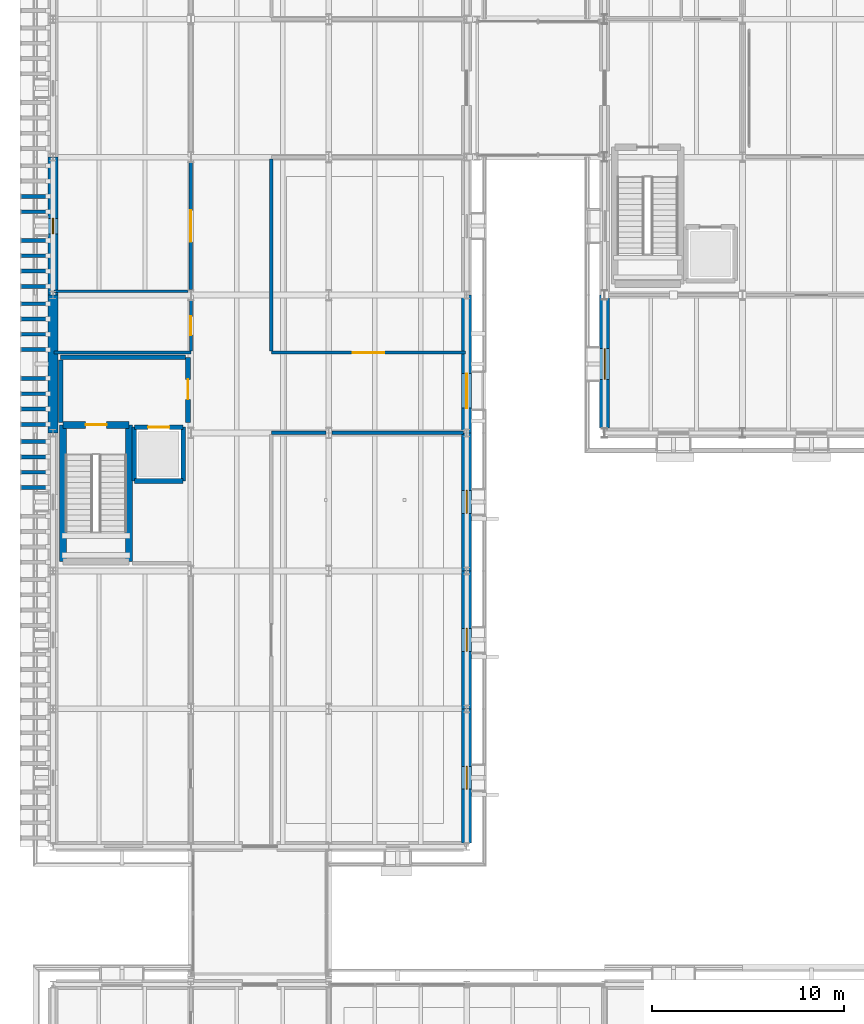
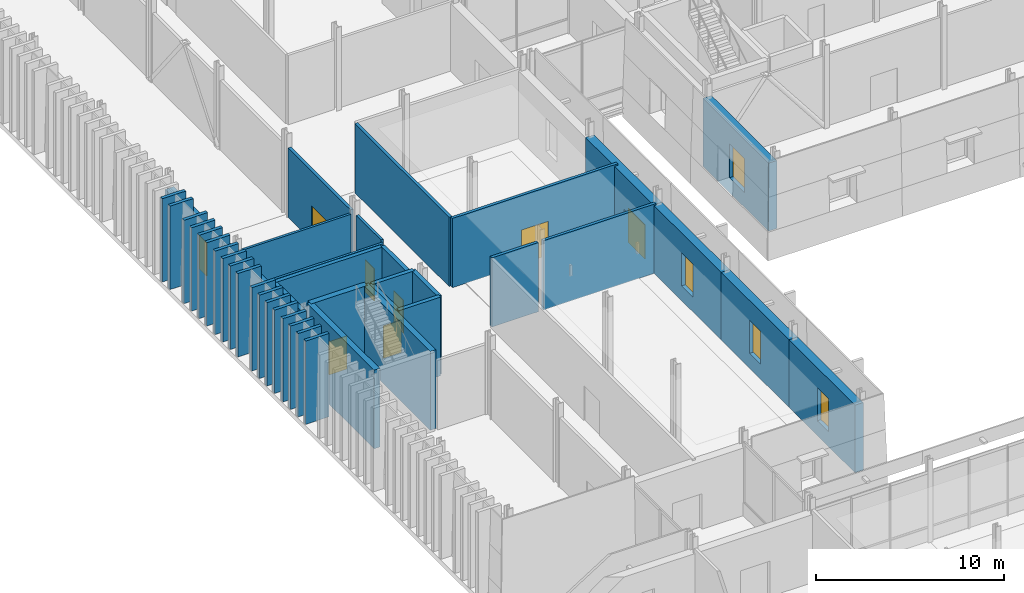
# One storey, part 69 of 120: 43 walls, 7 doors, 5 windows, 12 openings.
"""IFC4 building model written with IfcOpenShell, lengths in metres."""

from ifc_helpers import new_model, si_unit, direction, frame, frame_2d, origin, place, context, subcontext, project, spatial, rectangle, extrude, material, layer, layer_set, type_object, element, fill, save


model = new_model("IFC4")

# Units and contexts
model_context = context("Model", 3, precision=1e-05, world=origin(), true_north=direction((0.0, 1.0)))
body_context = subcontext(model_context, "Body", "Model", "MODEL_VIEW")
ifc_project = project(units=[si_unit("LENGTHUNIT", "METRE"), si_unit("AREAUNIT", "SQUARE_METRE"), si_unit("VOLUMEUNIT", "CUBIC_METRE"), si_unit("PLANEANGLEUNIT", "RADIAN"), si_unit("MASSUNIT", "GRAM", prefix="KILO")], contexts=[model_context])

# Site, building, storey
site_placement = place(None, origin())
site = spatial("IfcSite", under=ifc_project, at=site_placement, CompositionType="ELEMENT")
building_placement = place(site_placement, origin())
building = spatial("IfcBuilding", under=site, at=building_placement, Name="Narikvali Park Central Library", CompositionType="ELEMENT")
storey_placement = place(building_placement, origin())
storey = spatial("IfcBuildingStorey", under=building, at=storey_placement, Name="L00", CompositionType="ELEMENT", Elevation=0.0)

# Wall, opening, door
ifc_material_1 = material(Name="Autoclaved Concrete Blockwork C25/30", Category="masonry")
ifc_layer_1 = layer(ifc_material_1, 0.239990234375, Name="Autoclaved Concrete Blockwork C25/30")
ifc_layer_set_1 = layer_set([ifc_layer_1], Name="Autoclaved Concrete Blockwork C25/30")
wall_type_1 = type_object("IfcWallType", Name="Fire Compartment Concrete Block Wall 240", PredefinedType="SOLIDWALL", material=ifc_layer_set_1)
wall_1_placement = place(storey_placement, frame((7.050048828125, 50.949951171875, 0.0), z_axis=(0.0, 0.0, 1.0), x_axis=(0.0, 1.0, 0.0)))
wall_1 = element("IfcWall", 1, at=wall_1_placement, inside=storey, type_object=wall_type_1, Name="C5A L00 Firefighting Lobby Wall E", PredefinedType="SOLIDWALL", context=body_context, shape_type="SweptSolid", body=[
    extrude(rectangle(XDim=3.400146484375, YDim=0.239990234375, at=frame_2d((1.7001953125, 0.0))), origin(), (0.0, 0.0, 1.0), 4.360107421875),
])
opening_1_placement = place(wall_1_placement, frame((1.199951171875, 0.0, 0.0)))
opening_1 = element("IfcOpeningElement", 2, at=opening_1_placement, cuts=wall_1, Name="Opening FF-039", PredefinedType="OPENING", context=body_context, shape_type="SweptSolid", body=[
    extrude(rectangle(XDim=1.050048828125, YDim=2.14990234375, at=frame_2d((0.52490234375, 1.074951171875))), frame((0.0, 0.1318359375, 0.0), z_axis=(0.0, -1.0, 0.0), x_axis=(1.0, 0.0, 0.0)), (0.0, 0.0, 1.0), 0.263916015625),
])
ifc_material_2 = material(Name="Powder-Coated Steel S275 Fire Leaf", Category="steel")
door_type_1 = type_object("IfcDoorType", Name="Firefighting Lobby Single Fire Door 1050x2150", OperationType="SINGLE_SWING_RIGHT", PredefinedType="DOOR", material=ifc_material_2)
door_1_placement = place(opening_1_placement, frame((1.050048828125, 0.0, 0.0), z_axis=(0.0, 0.0, 1.0), x_axis=(-1.0, 0.0, 0.0)))
door_1 = element("IfcDoor", 3, at=door_1_placement, inside=storey, type_object=door_type_1, Name="FF-01 L00 Firefighting Lobby Corridor Door", OperationType="SINGLE_SWING_RIGHT", OverallHeight=2.14990234375, OverallWidth=1.050048828125, PredefinedType="DOOR", context=body_context, shape_type="SweptSolid", body=[
    extrude(rectangle(XDim=1.050048828125, YDim=2.14990234375, at=frame_2d((0.52490234375, 1.074951171875))), frame((0.0, 0.02490234375, 0.0), z_axis=(0.0, -1.0, 0.0), x_axis=(1.0, 0.0, 0.0)), (0.0, 0.0, 1.0), 0.050048828125),
])
fill(opening_1, door_1)

# Walls
wall_2_placement = place(storey_placement, frame((0.39990234375, 54.35009765625, 0.0), z_axis=(0.0, 0.0, 1.0), x_axis=(1.0, 0.0, 0.0)))
element("IfcWall", 4, at=wall_2_placement, inside=storey, type_object=wall_type_1, Name="C5A L00 Firefighting Lobby Wall N", PredefinedType="SOLIDWALL", context=body_context, shape_type="SweptSolid", body=[
    extrude(rectangle(XDim=6.52001953125, YDim=0.239990234375, at=frame_2d((3.260009765625, 0.0))), origin(), (0.0, 0.0, 1.0), 4.360107421875),
])
wall_3_placement = place(storey_placement, frame((0.39990234375, 50.949951171875, 0.0), z_axis=(0.0, 0.0, 1.0), x_axis=(0.0, 1.0, 0.0)))
element("IfcWall", 5, at=wall_3_placement, inside=storey, type_object=wall_type_1, Name="C5A L00 Firefighting Lobby Wall W", PredefinedType="SOLIDWALL", context=body_context, shape_type="SweptSolid", body=[
    extrude(rectangle(XDim=3.27001953125, YDim=0.239990234375, at=frame_2d((1.635009765625, 0.0))), origin(), (0.0, 0.0, 1.0), 4.360107421875),
])
ifc_material_3 = material(Name="Kiln-Fired Terracotta Red Brick Masonry", Category="masonry")
ifc_layer_2 = layer(ifc_material_3, 0.199951171875, Name="Kiln-Fired Terracotta Red Brick Masonry")
ifc_layer_set_2 = layer_set([ifc_layer_2], Name="Kiln-Fired Terracotta Red Brick Masonry")
wall_type_2 = type_object("IfcWallType", Name="Kiln-Fired Red Brick Vertical Fin Wall 200", PredefinedType="SOLIDWALL", material=ifc_layer_set_2)
for number, where, z_axis, x_axis, name in (
    (6, (-1.659912109375, 47.550048828125, 0.0), (0.0, 0.0, 1.0), (1.0, 0.0, 0.0), "West Stacks Red Brick Vertical Fin Pier 097"),
    (7, (-1.659912109375, 48.35009765625, 0.0), (0.0, 0.0, 1.0), (1.0, 0.0, 0.0), "West Stacks Red Brick Vertical Fin Pier 103"),
    (8, (-1.659912109375, 49.14990234375, 0.0), (0.0, 0.0, 1.0), (1.0, 0.0, 0.0), "West Stacks Red Brick Vertical Fin Pier 109"),
    (9, (-1.659912109375, 49.949951171875, 0.0), (0.0, 0.0, 1.0), (1.0, 0.0, 0.0), "West Stacks Red Brick Vertical Fin Pier 115"),
    (10, (-1.659912109375, 50.85009765625, 0.0), (0.0, 0.0, 1.0), (1.0, 0.0, 0.0), "West Stacks Red Brick Vertical Fin Pier 121"),
    (11, (-1.659912109375, 51.64990234375, 0.0), (0.0, 0.0, 1.0), (1.0, 0.0, 0.0), "West Stacks Red Brick Vertical Fin Pier 127"),
    (12, (-1.659912109375, 52.449951171875, 0.0), (0.0, 0.0, 1.0), (1.0, 0.0, 0.0), "West Stacks Red Brick Vertical Fin Pier 133"),
    (13, (-1.659912109375, 53.25, 0.0), (0.0, 0.0, 1.0), (1.0, 0.0, 0.0), "West Stacks Red Brick Vertical Fin Pier 139"),
    (14, (-1.659912109375, 54.75, 0.0), (0.0, 0.0, 1.0), (1.0, 0.0, 0.0), "West Stacks Red Brick Vertical Fin Pier 145"),
    (15, (-1.659912109375, 55.550048828125, 0.0), (0.0, 0.0, 1.0), (1.0, 0.0, 0.0), "West Stacks Red Brick Vertical Fin Pier 151"),
    (16, (-1.659912109375, 56.35009765625, 0.0), (0.0, 0.0, 1.0), (1.0, 0.0, 0.0), "West Stacks Red Brick Vertical Fin Pier 157"),
    (17, (-1.659912109375, 57.14990234375, 0.0), (0.0, 0.0, 1.0), (1.0, 0.0, 0.0), "West Stacks Red Brick Vertical Fin Pier 163"),
    (18, (-1.659912109375, 58.050048828125, 0.0), (0.0, 0.0, 1.0), (1.0, 0.0, 0.0), "West Stacks Red Brick Vertical Fin Pier 169"),
    (19, (-1.659912109375, 58.85009765625, 0.0), (0.0, 0.0, 1.0), (1.0, 0.0, 0.0), "West Stacks Red Brick Vertical Fin Pier 175"),
    (20, (-1.659912109375, 59.64990234375, 0.0), (0.0, 0.0, 1.0), (1.0, 0.0, 0.0), "West Stacks Red Brick Vertical Fin Pier 181"),
    (21, (-1.659912109375, 60.449951171875, 0.0), (0.0, 0.0, 1.0), (1.0, 0.0, 0.0), "West Stacks Red Brick Vertical Fin Pier 187"),
    (22, (-1.659912109375, 61.949951171875, 0.0), (0.0, 0.0, 1.0), (1.0, 0.0, 0.0), "West Stacks Red Brick Vertical Fin Pier 193"),
    (23, (-1.659912109375, 62.75, 0.0), (0.0, 0.0, 1.0), (1.0, 0.0, 0.0), "West Stacks Red Brick Vertical Fin Pier 199"),
):
    element("IfcWall", number, at=place(storey_placement, frame(where, z_axis=z_axis, x_axis=x_axis)), inside=storey, type_object=wall_type_2, Name=name, PredefinedType="SOLIDWALL", context=body_context, shape_type="SweptSolid", body=[
        extrude(rectangle(XDim=1.43994140625, YDim=0.199951171875, at=frame_2d((0.719970703125, 0.0))), origin(), (0.0, 0.0, 1.0), 5.39990234375),
    ])
ifc_material_4 = material(Name="Moisture-Resistant Cement Board on Steel Studs", Category="steel")
ifc_layer_3 = layer(ifc_material_4, 0.14990234375, Name="Moisture-Resistant Cement Board on Steel Studs")
ifc_layer_set_3 = layer_set([ifc_layer_3], Name="Moisture-Resistant Cement Board on Steel Studs")
wall_type_3 = type_object("IfcWallType", Name="Moisture-Resistant WC Partition 150", PredefinedType="PARTITIONING", material=ifc_layer_set_3)
wall_4_placement = place(storey_placement, frame((0.054931640625, 54.60009765625, 0.0), z_axis=(0.0, 0.0, 1.0), x_axis=(1.0, 0.0, 0.0)))
element("IfcWall", 24, at=wall_4_placement, inside=storey, type_object=wall_type_3, Name="Stacks Wing Accessible WC L00 Partition S", PredefinedType="PARTITIONING", context=body_context, shape_type="SweptSolid", body=[
    extrude(rectangle(XDim=7.14501953125, YDim=0.14990234375, at=frame_2d((3.572509765625, 0.0))), origin(), (0.0, 0.0, 1.0), 4.33203125),
])
wall_5_placement = place(storey_placement, frame((0.054931640625, 57.800048828125, 0.0), z_axis=(0.0, 0.0, 1.0), x_axis=(1.0, 0.0, 0.0)))
element("IfcWall", 25, at=wall_5_placement, inside=storey, type_object=wall_type_3, Name="Stacks Wing Accessible WC L00 Partition N", PredefinedType="PARTITIONING", context=body_context, shape_type="SweptSolid", body=[
    extrude(rectangle(XDim=6.988037109375, YDim=0.14990234375, at=frame_2d((3.494140625, 0.0))), origin(), (0.0, 0.0, 1.0), 4.33203125),
])

# Wall, opening, door
wall_6_placement = place(storey_placement, frame((7.199951171875, 54.677001953125, 0.0), z_axis=(0.0, 0.0, 1.0), x_axis=(0.0, 1.0, 0.0)))
wall_6 = element("IfcWall", 26, at=wall_6_placement, inside=storey, type_object=wall_type_3, Name="Stacks Wing Accessible WC L00 Partition E", PredefinedType="PARTITIONING", context=body_context, shape_type="SweptSolid", body=[
    extrude(rectangle(XDim=2.633056640625, YDim=0.14990234375, at=frame_2d((1.31640625, 0.0))), origin(), (0.0, 0.0, 1.0), 4.4951171875),
])
opening_2_placement = place(wall_6_placement, frame((0.826416015625, 0.0, 0.0)))
opening_2 = element("IfcOpeningElement", 27, at=opening_2_placement, cuts=wall_6, Name="Opening ID-0018", PredefinedType="OPENING", context=body_context, shape_type="SweptSolid", body=[
    extrude(rectangle(XDim=0.97998046875, YDim=2.10009765625, at=frame_2d((0.489990234375, 1.050048828125))), frame((0.0, 0.0869140625, 0.0), z_axis=(0.0, -1.0, 0.0), x_axis=(1.0, 0.0, 0.0)), (0.0, 0.0, 1.0), 0.173828125),
])
ifc_material_5 = material(Name="Laminate Faced Hardwood Core", Category="wood")
door_type_2 = type_object("IfcDoorType", Name="Accessible WC Outward-Opening Door 980x2100", OperationType="SINGLE_SWING_RIGHT", PredefinedType="DOOR", material=ifc_material_5)
door_2_placement = place(opening_2_placement, frame((0.97998046875, 0.0, 0.0), z_axis=(0.0, 0.0, 1.0), x_axis=(-1.0, 0.0, 0.0)))
door_2 = element("IfcDoor", 28, at=door_2_placement, inside=storey, type_object=door_type_2, Name="Stacks Wing Accessible WC L00 Door ID-0018", OperationType="SINGLE_SWING_RIGHT", OverallHeight=2.10009765625, OverallWidth=0.97998046875, PredefinedType="DOOR", context=body_context, shape_type="SweptSolid", body=[
    extrude(rectangle(XDim=0.97998046875, YDim=2.10009765625, at=frame_2d((0.489990234375, 1.050048828125))), frame((0.0, 0.02490234375, 0.0), z_axis=(0.0, -1.0, 0.0), x_axis=(1.0, 0.0, 0.0)), (0.0, 0.0, 1.0), 0.050048828125),
])
fill(opening_2, door_2)

# Walls
ifc_material_6 = material(Name="Acoustic Gypsum on Steel Studs", Category="steel")
ifc_layer_4 = layer(ifc_material_6, 0.179931640625, Name="Acoustic Gypsum on Steel Studs")
ifc_layer_set_4 = layer_set([ifc_layer_4], Name="Acoustic Gypsum on Steel Studs")
wall_type_4 = type_object("IfcWallType", Name="Reading Room Acoustic Partition 180", PredefinedType="PARTITIONING", material=ifc_layer_set_4)
wall_7_placement = place(storey_placement, frame((11.39990234375, 50.39990234375, 0.0), z_axis=(0.0, 0.0, 1.0), x_axis=(1.0, 0.0, 0.0)))
element("IfcWall", 29, at=wall_7_placement, inside=storey, type_object=wall_type_4, Name="General Collection Open Book Stacks L00 Partition N", PredefinedType="PARTITIONING", context=body_context, shape_type="SweptSolid", body=[
    extrude(rectangle(XDim=2.843017578125, YDim=0.179931640625, at=frame_2d((1.42138671875, 0.0))), origin(), (0.0, 0.0, 1.0), 4.485107421875),
])
wall_8_placement = place(storey_placement, frame((14.556884765625, 50.39990234375, 0.0), z_axis=(0.0, 0.0, 1.0), x_axis=(1.0, 0.0, 0.0)))
element("IfcWall", 30, at=wall_8_placement, inside=storey, type_object=wall_type_4, Name="General Collection Open Book Stacks L00 Partition N", PredefinedType="PARTITIONING", context=body_context, shape_type="SweptSolid", body=[
    extrude(rectangle(XDim=6.885009765625, YDim=0.179931640625, at=frame_2d((3.4423828125, 0.0))), origin(), (0.0, 0.0, 1.0), 4.485107421875),
])

# Wall, opening, door
wall_9_placement = place(storey_placement, frame((11.39990234375, 54.60009765625, 0.0), z_axis=(0.0, 0.0, 1.0), x_axis=(1.0, 0.0, 0.0)))
wall_9 = element("IfcWall", 31, at=wall_9_placement, inside=storey, type_object=wall_type_4, Name="Reference Open Stacks Alcove L00 Partition S", PredefinedType="PARTITIONING", context=body_context, shape_type="SweptSolid", body=[
    extrude(rectangle(XDim=10.14501953125, YDim=0.179931640625, at=frame_2d((5.072509765625, 0.0))), origin(), (0.0, 0.0, 1.0), 4.485107421875),
])
opening_3_placement = place(wall_9_placement, frame((4.24755859375, 0.0, 0.0)))
opening_3 = element("IfcOpeningElement", 32, at=opening_3_placement, cuts=wall_9, Name="Opening ID-0114", PredefinedType="OPENING", context=body_context, shape_type="SweptSolid", body=[
    extrude(rectangle(XDim=1.64990234375, YDim=2.25, at=frame_2d((0.824951171875, 1.125))), frame((0.0, 0.10205078125, 0.0), z_axis=(0.0, -1.0, 0.0), x_axis=(1.0, 0.0, 0.0)), (0.0, 0.0, 1.0), 0.203857421875),
])
ifc_material_7 = material(Name="Caucasian Oak and Tempered Glass", Category="glass")
door_type_3 = type_object("IfcDoorType", Name="Open Stacks Double Glazed Door 1650x2250", OperationType="DOUBLE_DOOR_SINGLE_SWING", PredefinedType="DOOR", material=ifc_material_7)
door_3_placement = place(opening_3_placement, origin())
door_3 = element("IfcDoor", 33, at=door_3_placement, inside=storey, type_object=door_type_3, Name="Reference Open Stacks Alcove L00 Door ID-0114", OperationType="DOUBLE_DOOR_SINGLE_SWING", OverallHeight=2.25, OverallWidth=1.64990234375, PredefinedType="DOOR", context=body_context, shape_type="SweptSolid", body=[
    extrude(rectangle(XDim=1.64990234375, YDim=2.25, at=frame_2d((0.824951171875, 1.125))), frame((0.0, 0.02490234375, 0.0), z_axis=(0.0, -1.0, 0.0), x_axis=(1.0, 0.0, 0.0)), (0.0, 0.0, 1.0), 0.050048828125),
])
fill(opening_3, door_3)

# Wall
wall_10_placement = place(storey_placement, frame((11.39990234375, 54.69189453125, 0.0), z_axis=(0.0, 0.0, 1.0), x_axis=(0.0, 1.0, 0.0)))
element("IfcWall", 34, at=wall_10_placement, inside=storey, type_object=wall_type_4, Name="Reference Open Stacks Alcove L00 Partition W", PredefinedType="PARTITIONING", context=body_context, shape_type="SweptSolid", body=[
    extrude(rectangle(XDim=10.01611328125, YDim=0.179931640625, at=frame_2d((5.008056640625, 0.0))), origin(), (0.0, 0.0, 1.0), 4.485107421875),
])

# Wall, opening, door
wall_11_placement = place(storey_placement, frame((7.199951171875, 57.889892578125, 0.0), z_axis=(0.0, 0.0, 1.0), x_axis=(0.0, 1.0, 0.0)))
wall_11 = element("IfcWall", 35, at=wall_11_placement, inside=storey, type_object=wall_type_4, Name="Caucasus History Open Stacks L00 Partition E", PredefinedType="PARTITIONING", context=body_context, shape_type="SweptSolid", body=[
    extrude(rectangle(XDim=6.6201171875, YDim=0.179931640625, at=frame_2d((3.31005859375, 0.0))), origin(), (0.0, 0.0, 1.0), 4.4951171875),
])
opening_4_placement = place(wall_11_placement, frame((2.485107421875, 0.0, 0.0)))
opening_4 = element("IfcOpeningElement", 36, at=opening_4_placement, cuts=wall_11, Name="Opening ID-0116", PredefinedType="OPENING", context=body_context, shape_type="SweptSolid", body=[
    extrude(rectangle(XDim=1.64990234375, YDim=2.25, at=frame_2d((0.824951171875, 1.125))), frame((0.0, 0.10205078125, 0.0), z_axis=(0.0, -1.0, 0.0), x_axis=(1.0, 0.0, 0.0)), (0.0, 0.0, 1.0), 0.203857421875),
])
door_4_placement = place(opening_4_placement, origin())
door_4 = element("IfcDoor", 37, at=door_4_placement, inside=storey, type_object=door_type_3, Name="Caucasus History Open Stacks L00 Door ID-0116", OperationType="DOUBLE_DOOR_SINGLE_SWING", OverallHeight=2.25, OverallWidth=1.64990234375, PredefinedType="DOOR", context=body_context, shape_type="SweptSolid", body=[
    extrude(rectangle(XDim=1.64990234375, YDim=2.25, at=frame_2d((0.824951171875, 1.125))), frame((0.0, 0.02490234375, 0.0), z_axis=(0.0, -1.0, 0.0), x_axis=(1.0, 0.0, 0.0)), (0.0, 0.0, 1.0), 0.050048828125),
])
fill(opening_4, door_4)

# Wall
ifc_material_8 = material(Name="Concrete C40/50", Category="concrete")
ifc_layer_5 = layer(ifc_material_8, 0.35009765625, Name="Concrete C40/50")
ifc_layer_set_5 = layer_set([ifc_layer_5], Name="Concrete C40/50")
wall_type_5 = type_object("IfcWallType", Name="Reinforced Concrete Core Shear Wall 350", PredefinedType="SHEAR", material=ifc_layer_set_5)
wall_12_placement = place(storey_placement, frame((3.969970703125, 43.679931640625, 0.0), z_axis=(0.0, 0.0, 1.0), x_axis=(0.0, 1.0, 0.0)))
element("IfcWall", 38, at=wall_12_placement, inside=storey, type_object=wall_type_5, Name="C5A L00 Stair Core Shear Wall E", PredefinedType="SHEAR", context=body_context, shape_type="SweptSolid", body=[
    extrude(rectangle(XDim=7.14013671875, YDim=0.35009765625, at=frame_2d((3.570068359375, 0.0))), origin(), (0.0, 0.0, 1.0), 5.10009765625),
])

# Wall, opening, door
wall_13_placement = place(storey_placement, frame((3.969970703125, 50.820068359375, 0.0), z_axis=(0.0, 0.0, 1.0), x_axis=(-1.0, 0.0, 0.0)))
wall_13 = element("IfcWall", 39, at=wall_13_placement, inside=storey, type_object=wall_type_5, Name="C5A L00 Stair Core Shear Wall N", PredefinedType="SHEAR", context=body_context, shape_type="SweptSolid", body=[
    extrude(rectangle(XDim=3.43994140625, YDim=0.35009765625, at=frame_2d((1.719970703125, 0.0))), origin(), (0.0, 0.0, 1.0), 5.10009765625),
])
opening_5_placement = place(wall_13_placement, frame((1.169921875, 0.0, 0.0)))
opening_5 = element("IfcOpeningElement", 40, at=opening_5_placement, cuts=wall_13, Name="Opening SD-038", PredefinedType="OPENING", context=body_context, shape_type="SweptSolid", body=[
    extrude(rectangle(XDim=1.10009765625, YDim=2.14990234375, at=frame_2d((0.550048828125, 1.074951171875))), frame((0.0, 0.18701171875, 0.0), z_axis=(0.0, -1.0, 0.0), x_axis=(1.0, 0.0, 0.0)), (0.0, 0.0, 1.0), 0.3740234375),
])
door_type_4 = type_object("IfcDoorType", Name="Stair Core Smoke-Control Fire Door 1100x2150", OperationType="SINGLE_SWING_LEFT", PredefinedType="DOOR", material=ifc_material_2)
door_5_placement = place(opening_5_placement, frame((1.10009765625, 0.0, 0.0), z_axis=(0.0, 0.0, 1.0), x_axis=(-1.0, 0.0, 0.0)))
door_5 = element("IfcDoor", 41, at=door_5_placement, inside=storey, type_object=door_type_4, Name="ST-09 L00 Stair Exit Door SD-038", OperationType="SINGLE_SWING_RIGHT", OverallHeight=2.14990234375, OverallWidth=1.10009765625, PredefinedType="DOOR", context=body_context, shape_type="SweptSolid", body=[
    extrude(rectangle(XDim=1.10009765625, YDim=2.14990234375, at=frame_2d((0.550048828125, 1.074951171875))), frame((0.0, 0.02490234375, 0.0), z_axis=(0.0, -1.0, 0.0), x_axis=(1.0, 0.0, 0.0)), (0.0, 0.0, 1.0), 0.050048828125),
])
fill(opening_5, door_5)

# Walls
wall_14_placement = place(storey_placement, frame((0.530029296875, 50.820068359375, 0.0), z_axis=(0.0, 0.0, 1.0), x_axis=(0.0, -1.0, 0.0)))
element("IfcWall", 42, at=wall_14_placement, inside=storey, type_object=wall_type_5, Name="C5A L00 Stair Core Shear Wall W", PredefinedType="SHEAR", context=body_context, shape_type="SweptSolid", body=[
    extrude(rectangle(XDim=7.14013671875, YDim=0.35009765625, at=frame_2d((3.570068359375, 0.0))), origin(), (0.0, 0.0, 1.0), 5.10009765625),
])
ifc_layer_6 = layer(ifc_material_8, 0.25, Name="Concrete C40/50")
ifc_layer_set_6 = layer_set([ifc_layer_6], Name="Concrete C40/50")
wall_type_6 = type_object("IfcWallType", Name="Reinforced Concrete Lift Shaft Wall 250", PredefinedType="SHEAR", material=ifc_layer_set_6)
wall_15_placement = place(storey_placement, frame((4.25, 47.89990234375, 0.0), z_axis=(0.0, 0.0, 1.0), x_axis=(1.0, 0.0, 0.0)))
element("IfcWall", 43, at=wall_15_placement, inside=storey, type_object=wall_type_6, Name="FF-01 L00 Lift Shaft Wall S", PredefinedType="SHEAR", context=body_context, shape_type="SweptSolid", body=[
    extrude(rectangle(XDim=2.550048828125, YDim=0.25, at=frame_2d((1.27490234375, 0.0))), origin(), (0.0, 0.0, 1.0), 5.10009765625),
])
wall_16_placement = place(storey_placement, frame((6.800048828125, 47.89990234375, 0.0), z_axis=(0.0, 0.0, 1.0), x_axis=(0.0, 1.0, 0.0)))
element("IfcWall", 44, at=wall_16_placement, inside=storey, type_object=wall_type_6, Name="FF-01 L00 Lift Shaft Wall E", PredefinedType="SHEAR", context=body_context, shape_type="SweptSolid", body=[
    extrude(rectangle(XDim=2.800048828125, YDim=0.25, at=frame_2d((1.39990234375, 0.0))), origin(), (0.0, 0.0, 1.0), 5.10009765625),
])

# Wall, opening, door
wall_17_placement = place(storey_placement, frame((6.800048828125, 50.699951171875, 0.0), z_axis=(0.0, 0.0, 1.0), x_axis=(-1.0, 0.0, 0.0)))
wall_17 = element("IfcWall", 45, at=wall_17_placement, inside=storey, type_object=wall_type_6, Name="FF-01 L00 Lift Shaft Wall N", PredefinedType="SHEAR", context=body_context, shape_type="SweptSolid", body=[
    extrude(rectangle(XDim=2.550048828125, YDim=0.25, at=frame_2d((1.27490234375, 0.0))), origin(), (0.0, 0.0, 1.0), 5.10009765625),
])
opening_6_placement = place(wall_17_placement, frame((0.72509765625, 0.0, 0.0)))
opening_6 = element("IfcOpeningElement", 46, at=opening_6_placement, cuts=wall_17, Name="Opening LD-035", PredefinedType="OPENING", context=body_context, shape_type="SweptSolid", body=[
    extrude(rectangle(XDim=1.10009765625, YDim=2.10009765625, at=frame_2d((0.550048828125, 1.050048828125))), frame((0.0, 0.136962890625, 0.0), z_axis=(0.0, -1.0, 0.0), x_axis=(1.0, 0.0, 0.0)), (0.0, 0.0, 1.0), 0.27392578125),
])
ifc_material_9 = material(Name="Brushed Stainless Steel S355", Category="steel")
door_type_5 = type_object("IfcDoorType", Name="Firefighting Lift Sliding Landing Door 1100x2100", OperationType="SLIDING_TO_RIGHT", PredefinedType="DOOR", material=ifc_material_9)
door_6_placement = place(opening_6_placement, origin())
door_6 = element("IfcDoor", 47, at=door_6_placement, inside=storey, type_object=door_type_5, Name="FF-01 L00 Lift Landing Sliding Door LD-035", OperationType="SLIDING_TO_RIGHT", OverallHeight=2.10009765625, OverallWidth=1.10009765625, PredefinedType="DOOR", context=body_context, shape_type="SweptSolid", body=[
    extrude(rectangle(XDim=1.10009765625, YDim=2.10009765625, at=frame_2d((0.550048828125, 1.050048828125))), frame((0.0, 0.02490234375, 0.0), z_axis=(0.0, -1.0, 0.0), x_axis=(1.0, 0.0, 0.0)), (0.0, 0.0, 1.0), 0.050048828125),
])
fill(opening_6, door_6)

# Wall
wall_18_placement = place(storey_placement, frame((4.25, 50.699951171875, 0.0), z_axis=(0.0, 0.0, 1.0), x_axis=(0.0, -1.0, 0.0)))
element("IfcWall", 48, at=wall_18_placement, inside=storey, type_object=wall_type_6, Name="FF-01 L00 Lift Shaft Wall W", PredefinedType="SHEAR", context=body_context, shape_type="SweptSolid", body=[
    extrude(rectangle(XDim=2.800048828125, YDim=0.25, at=frame_2d((1.39990234375, 0.0))), origin(), (0.0, 0.0, 1.0), 5.10009765625),
])

# Wall, opening, window
ifc_material_10 = material(Name="White Rusticated Limestone over Concrete C35/45", Category="masonry")
ifc_layer_7 = layer(ifc_material_10, 0.52001953125, Name="White Rusticated Limestone over Concrete C35/45")
ifc_layer_set_7 = layer_set([ifc_layer_7], Name="White Rusticated Limestone over Concrete C35/45")
wall_type_7 = type_object("IfcWallType", Name="White Limestone Ashlar Plinth Wall 520", PredefinedType="SOLIDWALL", material=ifc_layer_set_7)
wall_19_placement = place(storey_placement, frame((28.800048828125, 57.60009765625, 0.0), z_axis=(0.0, 0.0, 1.0), x_axis=(0.0, -1.0, 0.0)))
wall_19 = element("IfcWall", 49, at=wall_19_placement, inside=storey, type_object=wall_type_7, Name="V4 L00 W Exterior Limestone Wall B09", PredefinedType="SOLIDWALL", context=body_context, shape_type="SweptSolid", body=[
    extrude(rectangle(XDim=6.946044921875, YDim=0.52001953125, at=frame_2d((3.47314453125, 0.0))), origin(), (0.0, 0.0, 1.0), 4.39990234375),
])
opening_7_placement = place(wall_19_placement, frame((2.800048828125, 0.0, 0.949951171875)))
opening_7 = element("IfcOpeningElement", 50, at=opening_7_placement, cuts=wall_19, Name="Opening WIN-0142", PredefinedType="OPENING", context=body_context, shape_type="SweptSolid", body=[
    extrude(rectangle(XDim=1.60009765625, YDim=2.199951171875, at=frame_2d((0.800048828125, 1.10009765625))), frame((0.0, 0.27197265625, 0.0), z_axis=(0.0, -1.0, 0.0), x_axis=(1.0, 0.0, 0.0)), (0.0, 0.0, 1.0), 0.5439453125),
])
ifc_material_11 = material(Name="Anodised Bronze Aluminium and Low-E Triple Glazing", Category="aluminium")
window_type_1 = type_object("IfcWindowType", Name="Atrium Reading Wing Classical Window 1600x2200", PartitioningType="DOUBLE_PANEL_VERTICAL", PredefinedType="WINDOW", material=ifc_material_11)
window_1_placement = place(opening_7_placement, origin())
window_1 = element("IfcWindow", 51, at=window_1_placement, inside=storey, type_object=window_type_1, Name="V4 L00 W Deep-Reveal Window WIN-0142", OverallHeight=2.199951171875, OverallWidth=1.60009765625, PartitioningType="SINGLE_PANEL", PredefinedType="WINDOW", context=body_context, shape_type="SweptSolid", body=[
    extrude(rectangle(XDim=1.60009765625, YDim=2.199951171875, at=frame_2d((0.800048828125, 1.10009765625))), frame((0.0, 0.030029296875, 0.0), z_axis=(0.0, -1.0, 0.0), x_axis=(1.0, 0.0, 0.0)), (0.0, 0.0, 1.0), 0.06005859375),
])
fill(opening_7, window_1)

wall_20_placement = place(storey_placement, frame((21.60009765625, 29.00146484375, 0.0), z_axis=(0.0, 0.0, 1.0), x_axis=(0.0, 1.0, 0.0)))
wall_20 = element("IfcWall", 52, at=wall_20_placement, inside=storey, type_object=wall_type_7, Name="V5 L00 E Exterior Limestone Wall B01", PredefinedType="SOLIDWALL", context=body_context, shape_type="SweptSolid", body=[
    extrude(rectangle(XDim=6.99853515625, YDim=0.52001953125, at=frame_2d((3.499267578125, 0.0))), origin(), (0.0, 0.0, 1.0), 4.3798828125),
])
opening_8_placement = place(wall_20_placement, frame((2.798583984375, 0.0, 0.949951171875)))
opening_8 = element("IfcOpeningElement", 53, at=opening_8_placement, cuts=wall_20, Name="Opening WIN-0224", PredefinedType="OPENING", context=body_context, shape_type="SweptSolid", body=[
    extrude(rectangle(XDim=1.199951171875, YDim=2.14990234375, at=frame_2d((0.60009765625, 1.074951171875))), frame((0.0, 0.27197265625, 0.0), z_axis=(0.0, -1.0, 0.0), x_axis=(1.0, 0.0, 0.0)), (0.0, 0.0, 1.0), 0.5439453125),
])
window_type_2 = type_object("IfcWindowType", Name="Stacks Archive Deep-Reveal Punched Window 1200x2150", PartitioningType="SINGLE_PANEL", PredefinedType="WINDOW", material=ifc_material_11)
window_2_placement = place(opening_8_placement, origin())
window_2 = element("IfcWindow", 54, at=window_2_placement, inside=storey, type_object=window_type_2, Name="V5 L00 E Deep-Reveal Window WIN-0224", OverallHeight=2.14990234375, OverallWidth=1.199951171875, PartitioningType="SINGLE_PANEL", PredefinedType="WINDOW", context=body_context, shape_type="SweptSolid", body=[
    extrude(rectangle(XDim=1.199951171875, YDim=2.14990234375, at=frame_2d((0.60009765625, 1.074951171875))), frame((0.0, 0.030029296875, 0.0), z_axis=(0.0, -1.0, 0.0), x_axis=(1.0, 0.0, 0.0)), (0.0, 0.0, 1.0), 0.06005859375),
])
fill(opening_8, window_2)

wall_21_placement = place(storey_placement, frame((21.60009765625, 36.0, 0.0), z_axis=(0.0, 0.0, 1.0), x_axis=(0.0, 1.0, 0.0)))
wall_21 = element("IfcWall", 55, at=wall_21_placement, inside=storey, type_object=wall_type_7, Name="V5 L00 E Exterior Limestone Wall B02", PredefinedType="SOLIDWALL", context=body_context, shape_type="SweptSolid", body=[
    extrude(rectangle(XDim=7.199951171875, YDim=0.52001953125, at=frame_2d((3.60009765625, 0.0))), origin(), (0.0, 0.0, 1.0), 4.3798828125),
])
opening_9_placement = place(wall_21_placement, frame((3.0, 0.0, 0.949951171875)))
opening_9 = element("IfcOpeningElement", 56, at=opening_9_placement, cuts=wall_21, Name="Opening WIN-0225", PredefinedType="OPENING", context=body_context, shape_type="SweptSolid", body=[
    extrude(rectangle(XDim=1.199951171875, YDim=2.14990234375, at=frame_2d((0.60009765625, 1.074951171875))), frame((0.0, 0.27197265625, 0.0), z_axis=(0.0, -1.0, 0.0), x_axis=(1.0, 0.0, 0.0)), (0.0, 0.0, 1.0), 0.5439453125),
])
window_3_placement = place(opening_9_placement, origin())
window_3 = element("IfcWindow", 57, at=window_3_placement, inside=storey, type_object=window_type_2, Name="V5 L00 E Deep-Reveal Window WIN-0225", OverallHeight=2.14990234375, OverallWidth=1.199951171875, PartitioningType="SINGLE_PANEL", PredefinedType="WINDOW", context=body_context, shape_type="SweptSolid", body=[
    extrude(rectangle(XDim=1.199951171875, YDim=2.14990234375, at=frame_2d((0.60009765625, 1.074951171875))), frame((0.0, 0.030029296875, 0.0), z_axis=(0.0, -1.0, 0.0), x_axis=(1.0, 0.0, 0.0)), (0.0, 0.0, 1.0), 0.06005859375),
])
fill(opening_9, window_3)

wall_22_placement = place(storey_placement, frame((21.60009765625, 43.199951171875, 0.0), z_axis=(0.0, 0.0, 1.0), x_axis=(0.0, 1.0, 0.0)))
wall_22 = element("IfcWall", 58, at=wall_22_placement, inside=storey, type_object=wall_type_7, Name="V5 L00 E Exterior Limestone Wall B03", PredefinedType="SOLIDWALL", context=body_context, shape_type="SweptSolid", body=[
    extrude(rectangle(XDim=7.199951171875, YDim=0.52001953125, at=frame_2d((3.60009765625, 0.0))), origin(), (0.0, 0.0, 1.0), 4.3798828125),
])
opening_10_placement = place(wall_22_placement, frame((3.0, 0.0, 0.949951171875)))
opening_10 = element("IfcOpeningElement", 59, at=opening_10_placement, cuts=wall_22, Name="Opening WIN-0226", PredefinedType="OPENING", context=body_context, shape_type="SweptSolid", body=[
    extrude(rectangle(XDim=1.199951171875, YDim=2.14990234375, at=frame_2d((0.60009765625, 1.074951171875))), frame((0.0, 0.27197265625, 0.0), z_axis=(0.0, -1.0, 0.0), x_axis=(1.0, 0.0, 0.0)), (0.0, 0.0, 1.0), 0.5439453125),
])
window_4_placement = place(opening_10_placement, origin())
window_4 = element("IfcWindow", 60, at=window_4_placement, inside=storey, type_object=window_type_2, Name="V5 L00 E Deep-Reveal Window WIN-0226", OverallHeight=2.14990234375, OverallWidth=1.199951171875, PartitioningType="SINGLE_PANEL", PredefinedType="WINDOW", context=body_context, shape_type="SweptSolid", body=[
    extrude(rectangle(XDim=1.199951171875, YDim=2.14990234375, at=frame_2d((0.60009765625, 1.074951171875))), frame((0.0, 0.030029296875, 0.0), z_axis=(0.0, -1.0, 0.0), x_axis=(1.0, 0.0, 0.0)), (0.0, 0.0, 1.0), 0.06005859375),
])
fill(opening_10, window_4)

# Wall, opening, door
wall_23_placement = place(storey_placement, frame((21.60009765625, 50.39990234375, 0.0), z_axis=(0.0, 0.0, 1.0), x_axis=(0.0, 1.0, 0.0)))
wall_23 = element("IfcWall", 61, at=wall_23_placement, inside=storey, type_object=wall_type_7, Name="V5 L00 E Exterior Limestone Wall B04", PredefinedType="SOLIDWALL", context=body_context, shape_type="SweptSolid", body=[
    extrude(rectangle(XDim=7.2001953125, YDim=0.52001953125, at=frame_2d((3.60009765625, 0.0))), origin(), (0.0, 0.0, 1.0), 4.3798828125),
])
opening_11_placement = place(wall_23_placement, frame((1.300048828125, 0.0, 0.0)))
opening_11 = element("IfcOpeningElement", 62, at=opening_11_placement, cuts=wall_23, Name="Opening ED-039", PredefinedType="OPENING", context=body_context, shape_type="SweptSolid", body=[
    extrude(rectangle(XDim=1.800048828125, YDim=2.199951171875, at=frame_2d((0.89990234375, 1.10009765625))), frame((0.0, 0.27197265625, 0.0), z_axis=(0.0, -1.0, 0.0), x_axis=(1.0, 0.0, 0.0)), (0.0, 0.0, 1.0), 0.5439453125),
])
ifc_material_12 = material(Name="Powder-Coated Galvanised Steel S275", Category="steel")
door_type_6 = type_object("IfcDoorType", Name="Exterior Final Exit Double Fire Door 1800x2200", OperationType="DOUBLE_DOOR_SINGLE_SWING", PredefinedType="DOOR", material=ifc_material_12)
door_7_placement = place(opening_11_placement, frame((1.800048828125, 0.0, 0.0), z_axis=(0.0, 0.0, 1.0), x_axis=(-1.0, 0.0, 0.0)))
door_7 = element("IfcDoor", 63, at=door_7_placement, inside=storey, type_object=door_type_6, Name="V5 Ground Final Exit Discharge Door ED-039", OperationType="DOUBLE_DOOR_SINGLE_SWING", OverallHeight=2.199951171875, OverallWidth=1.800048828125, PredefinedType="DOOR", context=body_context, shape_type="SweptSolid", body=[
    extrude(rectangle(XDim=1.800048828125, YDim=2.199951171875, at=frame_2d((0.89990234375, 1.10009765625))), frame((0.0, 0.02490234375, 0.0), z_axis=(0.0, -1.0, 0.0), x_axis=(1.0, 0.0, 0.0)), (0.0, 0.0, 1.0), 0.050048828125),
])
fill(opening_11, door_7)

# Wall, opening, window
wall_24_placement = place(storey_placement, frame((0.0, 64.800048828125, 0.0), z_axis=(0.0, 0.0, 1.0), x_axis=(0.0, -1.0, 0.0)))
wall_24 = element("IfcWall", 64, at=wall_24_placement, inside=storey, type_object=wall_type_7, Name="V5 L00 W Exterior Limestone Wall B07", PredefinedType="SOLIDWALL", context=body_context, shape_type="SweptSolid", body=[
    extrude(rectangle(XDim=7.199951171875, YDim=0.52001953125, at=frame_2d((3.60009765625, 0.0))), origin(), (0.0, 0.0, 1.0), 4.219970703125),
])
opening_12_placement = place(wall_24_placement, frame((3.199951171875, 0.0, 0.949951171875)))
opening_12 = element("IfcOpeningElement", 65, at=opening_12_placement, cuts=wall_24, Name="Opening WIN-0238", PredefinedType="OPENING", context=body_context, shape_type="SweptSolid", body=[
    extrude(rectangle(XDim=0.800048828125, YDim=2.14990234375, at=frame_2d((0.39990234375, 1.074951171875))), frame((0.0, 0.27197265625, 0.0), z_axis=(0.0, -1.0, 0.0), x_axis=(1.0, 0.0, 0.0)), (0.0, 0.0, 1.0), 0.5439453125),
])
window_type_3 = type_object("IfcWindowType", Name="West Fin-Bay Narrow Carrel Slot Window 800x2150", PartitioningType="SINGLE_PANEL", PredefinedType="WINDOW", material=ifc_material_11)
window_5_placement = place(opening_12_placement, origin())
window_5 = element("IfcWindow", 66, at=window_5_placement, inside=storey, type_object=window_type_3, Name="V5 L00 W Deep-Reveal Window WIN-0238", OverallHeight=2.14990234375, OverallWidth=0.800048828125, PartitioningType="SINGLE_PANEL", PredefinedType="WINDOW", context=body_context, shape_type="SweptSolid", body=[
    extrude(rectangle(XDim=0.800048828125, YDim=2.14990234375, at=frame_2d((0.39990234375, 1.074951171875))), frame((0.0, 0.030029296875, 0.0), z_axis=(0.0, -1.0, 0.0), x_axis=(1.0, 0.0, 0.0)), (0.0, 0.0, 1.0), 0.06005859375),
])
fill(opening_12, window_5)

# Wall
wall_25_placement = place(storey_placement, frame((0.0, 57.60009765625, 0.0), z_axis=(0.0, 0.0, 1.0), x_axis=(0.0, -1.0, 0.0)))
element("IfcWall", 67, at=wall_25_placement, inside=storey, type_object=wall_type_7, Name="V5 L00 W Exterior Limestone Wall B08", PredefinedType="SOLIDWALL", context=body_context, shape_type="SweptSolid", body=[
    extrude(rectangle(XDim=7.2001953125, YDim=0.52001953125, at=frame_2d((3.60009765625, 0.0))), origin(), (0.0, 0.0, 1.0), 4.219970703125),
])

save(model, "model.ifc")
